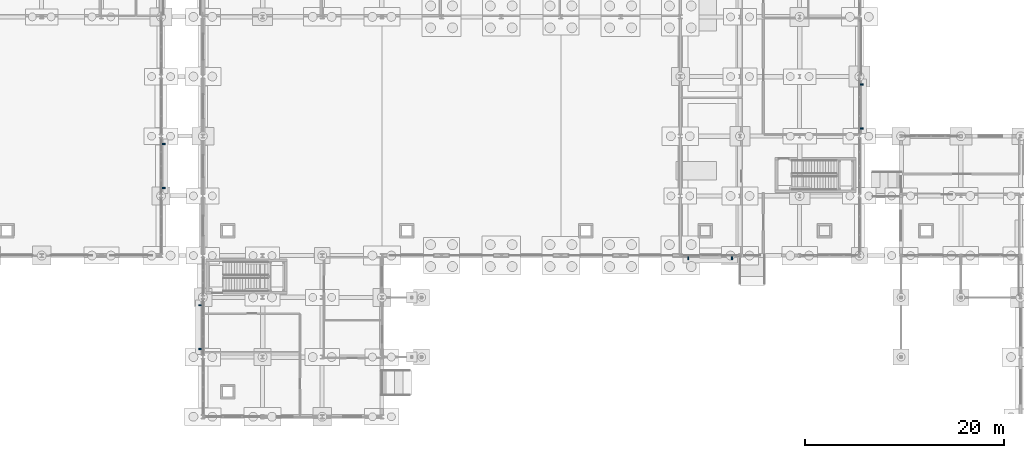
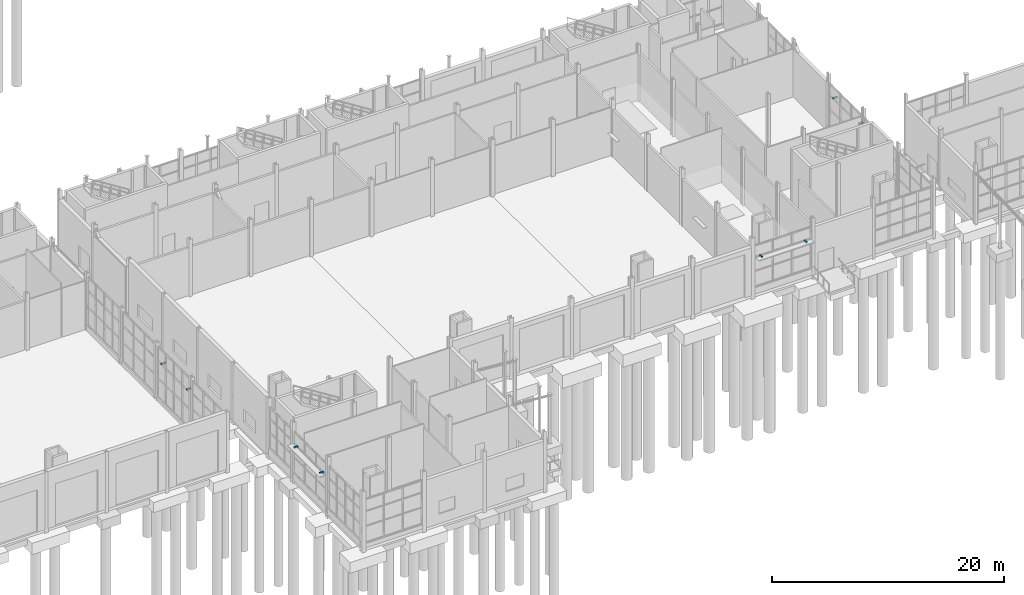
# One storey, part 107 of 120: 8 discrete accessories.
"""IFC4 building model written with IfcOpenShell, lengths in metres."""

import ifcopenshell
import ifcopenshell.guid

model = None  # the IFC model being written
_history = None  # IfcOwnerHistory: only IFC2X3 demands one
_inside = {}  # id of a spatial element -> (the spatial element, [elements in it])
_under = {}  # id of a project, library or spatial element -> (it, [spatial elements below it])
_declared = {}  # id of a project -> (the project, [libraries it declares])
_typed = {}  # id of a type object -> (the type object, [elements of that type])
_made_of = {}  # id of a material, layer set ... -> (it, [elements and type objects made of it])


def new_model(schema):
    """Start an empty IFC model of exactly this schema.

    Asked for "IFC4X3", IfcOpenShell would pick the latest addendum, in which some entities
    have other attributes; the version numbers below select the first issue.
    IFC2X3 requires an IfcOwnerHistory on every rooted entity: one is made here for all.
    """
    global model, _history
    if schema == "IFC4X3":
        model = ifcopenshell.file(schema_version=(4, 3, 0, 0))
    else:
        model = ifcopenshell.file(schema=schema)
    _inside.clear()
    _under.clear()
    _declared.clear()
    _typed.clear()
    _made_of.clear()
    _history = None
    if model.schema == "IFC2X3":
        org = make("IfcOrganization", Name="unknown")
        user = make(
            "IfcPersonAndOrganization",
            ThePerson=make("IfcPerson", FamilyName="unknown"),
            TheOrganization=org,
        )
        app = make(
            "IfcApplication",
            ApplicationDeveloper=org,
            Version="unknown",
            ApplicationFullName="unknown",
            ApplicationIdentifier="unknown",
        )
        _history = make(
            "IfcOwnerHistory",
            OwningUser=user,
            OwningApplication=app,
            ChangeAction="ADDED",
            CreationDate=0,
        )
    return model


def make(cls, **values):
    """One entity of the class cls with the attributes given. An attribute that is None is left unset."""
    return model.create_entity(
        cls, **{name: value for name, value in values.items() if value is not None}
    )


def rooted(cls, **values):
    """An entity with a GlobalId (a new one), such as an element, a storey or a relation."""
    return make(cls, GlobalId=ifcopenshell.guid.new(), OwnerHistory=_history, **values)


def si_unit(unit_type, name, prefix=None):
    """IfcSIUnit, for example si_unit("LENGTHUNIT", "METRE", prefix="MILLI")."""
    return make("IfcSIUnit", UnitType=unit_type, Prefix=prefix, Name=name)


def assignment(units):
    """IfcUnitAssignment: the units of a project."""
    return None if units is None else make("IfcUnitAssignment", Units=units)


def point(xyz):
    """IfcCartesianPoint."""
    return None if xyz is None else make("IfcCartesianPoint", Coordinates=xyz)


def direction(xyz):
    """IfcDirection."""
    return None if xyz is None else make("IfcDirection", DirectionRatios=xyz)


def frame(location, z_axis=None, x_axis=None):
    """IfcAxis2Placement3D, a coordinate frame: its origin and axes. An axis left out is left unset."""
    return make(
        "IfcAxis2Placement3D",
        Location=point(location),
        Axis=direction(z_axis),
        RefDirection=direction(x_axis),
    )


def frame_2d(location, x_axis=None):
    """IfcAxis2Placement2D, a coordinate frame in the plane: its origin and x axis."""
    return make(
        "IfcAxis2Placement2D", Location=point(location), RefDirection=direction(x_axis)
    )


def origin():
    """The frame at (0, 0, 0) with its axes left unset."""
    return frame((0.0, 0.0, 0.0))


def origin_2d():
    """The frame at (0, 0) in the plane with its x axis left unset."""
    return frame_2d((0.0, 0.0))


def place(relative_to, where):
    """IfcLocalPlacement: puts the frame where relative to a parent placement (None: the world)."""
    return make(
        "IfcLocalPlacement", PlacementRelTo=relative_to, RelativePlacement=where
    )


def context(
    kind, dimensions, precision=None, world=None, true_north=None, identifier=None
):
    """IfcGeometricRepresentationContext, for example the 3D "Model" context."""
    return make(
        "IfcGeometricRepresentationContext",
        ContextIdentifier=identifier,
        ContextType=kind,
        CoordinateSpaceDimension=dimensions,
        Precision=precision,
        WorldCoordinateSystem=world,
        TrueNorth=true_north,
    )


def subcontext(parent, identifier, kind, view, scale=None):
    """IfcGeometricRepresentationSubContext, for example "Body" below "Model"."""
    return make(
        "IfcGeometricRepresentationSubContext",
        ContextIdentifier=identifier,
        ContextType=kind,
        ParentContext=parent,
        TargetScale=scale,
        TargetView=view,
    )


def project(units=None, contexts=None):
    """IfcProject with its units and contexts."""
    return rooted(
        "IfcProject",
        Name="project",
        RepresentationContexts=contexts,
        UnitsInContext=assignment(units),
    )


def spatial(cls, under=None, at=None, **own):
    """A site, building, storey or space (cls), placed at a placement, below another one or the project."""
    s = rooted(cls, ObjectPlacement=at, **own)
    if under is not None:
        _under.setdefault(under.id(), (under, []))[1].append(s)
    return s


def profile(cls, at=None, kind="AREA", **sizes):
    """A parametric profile (cls). Its sizes go by their IFC names, for example OverallWidth=200.0."""
    return make(cls, ProfileType=kind, Position=at, **sizes)


def rectangle(**sizes):
    """IfcRectangleProfileDef."""
    return profile("IfcRectangleProfileDef", **sizes)


def extrude(swept, where, along, depth):
    """IfcExtrudedAreaSolid: the profile swept, set in the frame where, extruded along a direction by depth."""
    return make(
        "IfcExtrudedAreaSolid",
        SweptArea=swept,
        Position=where,
        ExtrudedDirection=direction(along),
        Depth=depth,
    )


def shape(context_of_items, identifier, shape_type, items):
    """IfcShapeRepresentation: the items that make up one representation, for example the "Body"."""
    return make(
        "IfcShapeRepresentation",
        ContextOfItems=context_of_items,
        RepresentationIdentifier=identifier,
        RepresentationType=shape_type,
        Items=items,
    )


def material(Name=None, Category=None):
    """IfcMaterial."""
    return make("IfcMaterial", Name=Name, Category=Category)


def made_of(thing, what):
    """Note that an element or type object is made of a material, layer set ...; save() writes the relation."""
    if what is not None:
        _made_of.setdefault(what.id(), (what, []))[1].append(thing)
    return thing


def type_object(cls, material=None, **own):
    """A type object (cls), such as IfcWallType, which elements share."""
    return made_of(rooted(cls, **own), material)


def element(
    cls,
    number,
    at=None,
    inside=None,
    cuts=None,
    type_object=None,
    material=None,
    context=None,
    identifier="Body",
    shape_type=None,
    held_by="IfcProductDefinitionShape",
    body=None,
    shapes=None,
    **own,
):
    """One element of the class cls, such as IfcWall. Its Tag is "e" and its number.

    at: its placement. inside: the storey or other place that contains it. cuts: it is an
    opening in that element (IfcRelVoidsElement). A single representation is given by context,
    identifier, shape_type and body (its items); several are given by shapes. held_by: the class
    of the entity that holds the representations. save() writes the other relations.
    """
    e = rooted(cls, Tag="e%d" % number, ObjectPlacement=at, **own)
    if body is not None:
        shapes = [shape(context, identifier, shape_type, body)]
    if shapes is not None:
        e.Representation = make(held_by, Representations=shapes)
    if inside is not None:
        _inside.setdefault(inside.id(), (inside, []))[1].append(e)
    if cuts is not None:
        rooted(
            "IfcRelVoidsElement", RelatingBuildingElement=cuts, RelatedOpeningElement=e
        )
    if type_object is not None:
        _typed.setdefault(type_object.id(), (type_object, []))[1].append(e)
    return made_of(e, material)


def aggregate(whole, parts):
    """IfcRelAggregates: a whole, such as a stair, and the parts it consists of."""
    return rooted("IfcRelAggregates", RelatingObject=whole, RelatedObjects=parts)


def save(model, path):
    """Write the relations noted so far, then the file.

    IfcRelAggregates (storeys below a building ...), IfcRelContainedInSpatialStructure (elements
    in a storey), IfcRelDefinesByType, IfcRelAssociatesMaterial and IfcRelDeclares: one each for
    every whole, place, type object, material and project.
    """
    for whole, parts in _under.values():
        aggregate(whole, parts)
    for where, things in _inside.values():
        rooted(
            "IfcRelContainedInSpatialStructure",
            RelatedElements=things,
            RelatingStructure=where,
        )
    for kind, things in _typed.values():
        rooted("IfcRelDefinesByType", RelatedObjects=things, RelatingType=kind)
    for what, things in _made_of.values():
        rooted("IfcRelAssociatesMaterial", RelatedObjects=things, RelatingMaterial=what)
    for by, libraries in _declared.values():
        rooted("IfcRelDeclares", RelatingContext=by, RelatedDefinitions=libraries)
    model.write(path)


model = new_model("IFC4")

# Units and contexts
model_context = context("Model", 3, precision=1e-05, world=origin(), true_north=direction((0.0, 1.0)))
body_context = subcontext(model_context, "Body", "Model", "MODEL_VIEW")
ifc_project = project(units=[si_unit("LENGTHUNIT", "METRE"), si_unit("AREAUNIT", "SQUARE_METRE"), si_unit("VOLUMEUNIT", "CUBIC_METRE"), si_unit("PLANEANGLEUNIT", "RADIAN"), si_unit("MASSUNIT", "GRAM", prefix="KILO")], contexts=[model_context])

# Site, building, storey
site_placement = place(None, origin())
site = spatial("IfcSite", under=ifc_project, at=site_placement, CompositionType="ELEMENT")
building_placement = place(site_placement, origin())
building = spatial("IfcBuilding", under=site, at=building_placement, Name="Siltcreek Boulevard Central Fire Station", CompositionType="ELEMENT")
storey_placement = place(building_placement, origin())
storey = spatial("IfcBuildingStorey", under=building, at=storey_placement, Name="L01", CompositionType="ELEMENT", Elevation=0.0)

# Discrete accessories
ifc_material = material(Name="Hot-dip galvanized steel facade outrigger bracket", Category="steel")
discrete_accessory_type = type_object("IfcDiscreteAccessoryType", Name="ACC_BRACKET", PredefinedType="BRACKET", material=ifc_material)
for number, where, z_axis, x_axis, name in (
    (1, (41.820068359375, 13.0048828125, 3.7421875), (0.0, 0.0, 1.0), (0.0, -1.0, 0.0), "Galvanized sunshade support bracket BK-001"),
    (2, (41.820068359375, 8.594970703125, 3.7421875), (0.0, 0.0, 1.0), (0.0, -1.0, 0.0), "Galvanized sunshade support bracket BK-002"),
    (3, (90.794921875, 17.820068359375, 3.73583984375), (0.0, 0.0, 1.0), (1.0, 0.0, 0.0), "Galvanized sunshade support bracket BK-015"),
    (4, (95.205078125, 17.820068359375, 3.73583984375), (0.0, 0.0, 1.0), (1.0, 0.0, 0.0), "Galvanized sunshade support bracket BK-016"),
    (5, (108.179931640625, 30.794921875, 3.7421875), (0.0, 0.0, 1.0), (0.0, 1.0, 0.0), "Galvanized sunshade support bracket BK-017"),
    (6, (108.179931640625, 35.205078125, 3.7421875), (0.0, 0.0, 1.0), (0.0, 1.0, 0.0), "Galvanized sunshade support bracket BK-018"),
    (7, (37.97998046875, 24.794921875, 4.05517578125), (0.0, 0.0, 1.0), (0.0, 1.0, 0.0), "Galvanized sunshade support bracket BK-129"),
    (8, (37.97998046875, 29.205078125, 4.05517578125), (0.0, 0.0, 1.0), (0.0, 1.0, 0.0), "Galvanized sunshade support bracket BK-130"),
):
    element("IfcDiscreteAccessory", number, at=place(storey_placement, frame(where, z_axis=z_axis, x_axis=x_axis)), inside=storey, type_object=discrete_accessory_type, Name=name, PredefinedType="BRACKET", context=body_context, shape_type="SweptSolid", body=[
        extrude(rectangle(XDim=0.139892578125, YDim=0.4599609375, at=origin_2d()), origin(), (0.0, 0.0, 1.0), 0.159912109375),
    ])

save(model, "model.ifc")
